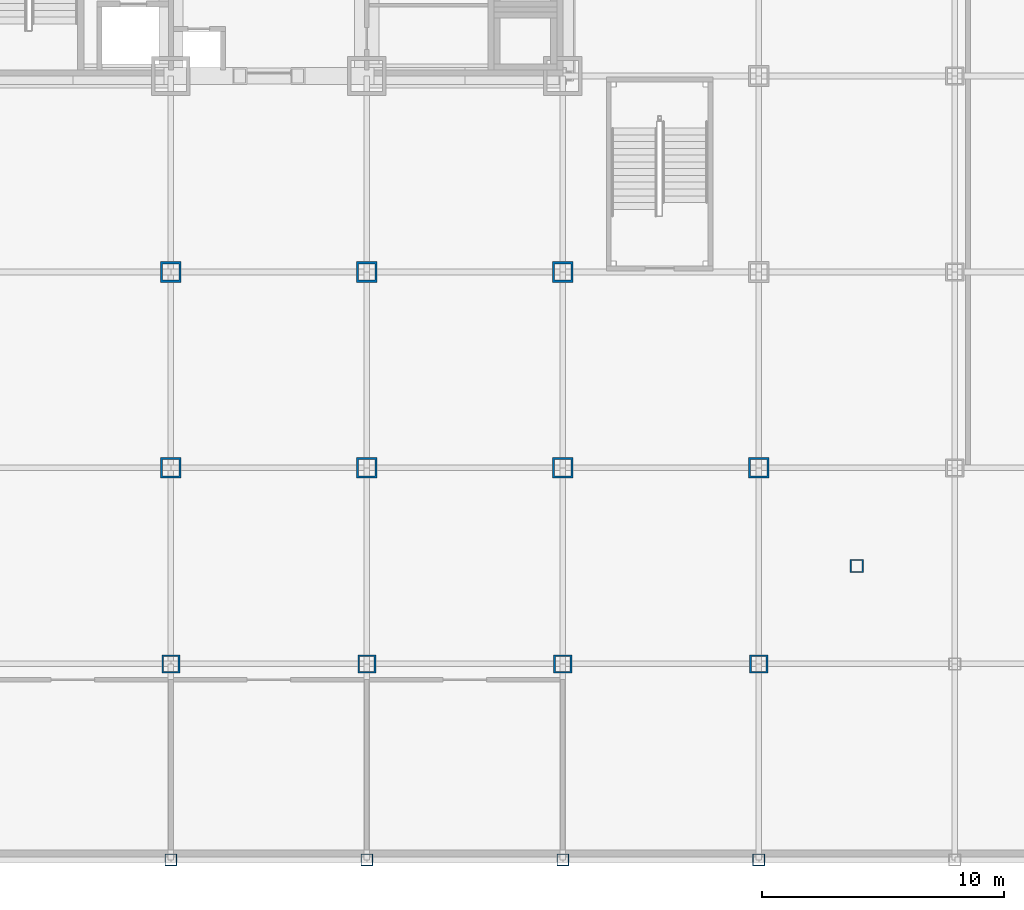
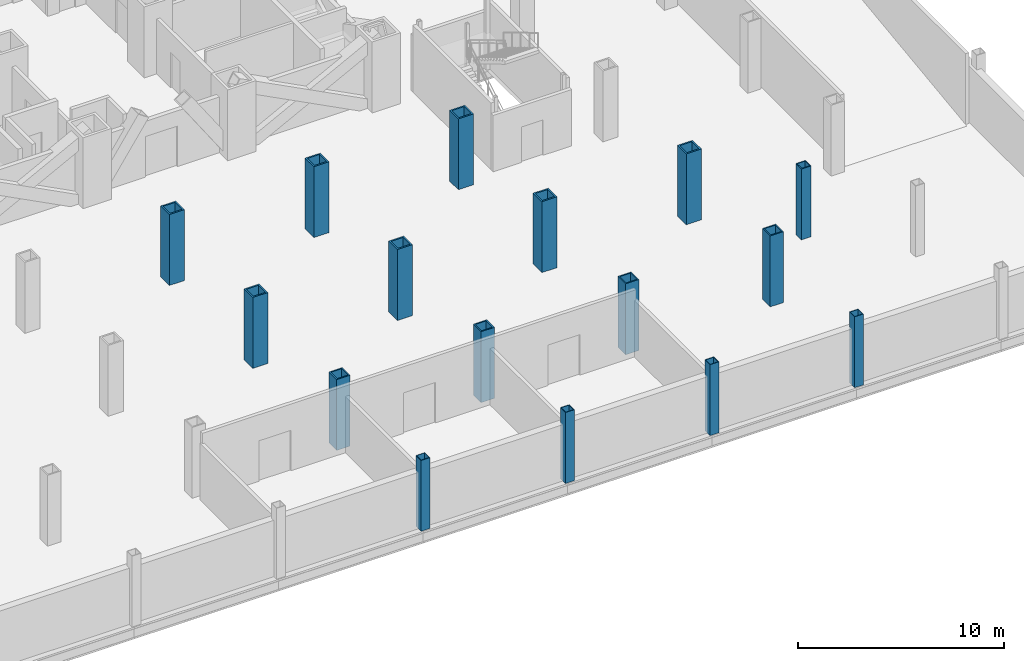
# One storey, part 3 of 14: 16 columns.
"""IFC4 building model written with IfcOpenShell, lengths in metres."""

from ifc_helpers import new_model, si_unit, direction, frame, origin, origin_2d, place, context, subcontext, project, spatial, hollow_rectangle, extrude, material, material_profile, profile_set, type_object, element, save


model = new_model("IFC4")

# Units and contexts
model_context = context("Model", 3, precision=1e-05, world=origin(), true_north=direction((0.0, 1.0)))
body_context = subcontext(model_context, "Body", "Model", "MODEL_VIEW")
ifc_project = project(units=[si_unit("LENGTHUNIT", "METRE"), si_unit("AREAUNIT", "SQUARE_METRE"), si_unit("VOLUMEUNIT", "CUBIC_METRE"), si_unit("PLANEANGLEUNIT", "RADIAN"), si_unit("MASSUNIT", "GRAM", prefix="KILO")], contexts=[model_context])

# Site, building, storey
site_placement = place(None, origin())
site = spatial("IfcSite", under=ifc_project, at=site_placement, CompositionType="ELEMENT")
building_placement = place(site_placement, origin())
building = spatial("IfcBuilding", under=site, at=building_placement, Name="Kopane Lantern Tower", CompositionType="ELEMENT")
storey_placement = place(building_placement, frame((0.0, 0.0, -4.199951171875)))
storey = spatial("IfcBuildingStorey", under=building, at=storey_placement, Name="L-01", CompositionType="ELEMENT", Elevation=-4.199951171875)

# Columns
ifc_material_1 = material(Name="Steel S355JR", Category="steel")
ifc_material_profile_1 = material_profile(ifc_material_1, hollow_rectangle(XDim=0.5, YDim=0.5, WallThickness=0.030029296875, at=origin_2d()), Name="BOX 500x500x30")
ifc_profile_set_1 = profile_set([ifc_material_profile_1], Name="Steel S355JR")
column_type_1 = type_object("IfcColumnType", Name="COLUMN BOX 500x500x30", PredefinedType="COLUMN", material=ifc_profile_set_1)
for number, where, z_axis, x_axis, name in (
    (1, (24.300048828125, -8.10009765625, 0.0), (0.0, 0.0, 1.0), (1.0, 0.0, 0.0), "Column 5/A L-01"),
    (2, (32.39990234375, -8.10009765625, 0.0), (0.0, 0.0, 1.0), (1.0, 0.0, 0.0), "Column 6/A L-01"),
    (3, (40.5, -8.10009765625, 0.0), (0.0, 0.0, 1.0), (1.0, 0.0, 0.0), "Column 7/A L-01"),
    (4, (48.60009765625, -8.10009765625, 0.0), (0.0, 0.0, 1.0), (1.0, 0.0, 0.0), "Column 8/A L-01"),
):
    element("IfcColumn", number, at=place(storey_placement, frame(where, z_axis=z_axis, x_axis=x_axis)), inside=storey, type_object=column_type_1, Name=name, PredefinedType="COLUMN", context=body_context, shape_type="SweptSolid", body=[
        extrude(hollow_rectangle(XDim=0.5, YDim=0.5, WallThickness=0.030029296875, at=origin_2d()), origin(), (0.0, 0.0, 1.0), 4.199951171875),
    ])
ifc_material_2 = material(Name="Steel S355JR", Category="steel")
ifc_material_profile_2 = material_profile(ifc_material_2, hollow_rectangle(XDim=0.550048828125, YDim=0.550048828125, WallThickness=0.050048828125, at=origin_2d()), Name="BOX 550x550x50")
ifc_profile_set_2 = profile_set([ifc_material_profile_2], Name="Steel S355JR")
column_type_2 = type_object("IfcColumnType", Name="COLUMN BOX 550x550x50", PredefinedType="COLUMN", material=ifc_profile_set_2)
column_placement = place(storey_placement, frame((52.64990234375, 4.050048828125, 0.0), z_axis=(0.0, 0.0, 1.0), x_axis=(1.0, 0.0, 0.0)))
element("IfcColumn", 5, at=column_placement, inside=storey, type_object=column_type_2, Name="Column 52.65/4.05 L-01", PredefinedType="COLUMN", context=body_context, shape_type="SweptSolid", body=[
    extrude(hollow_rectangle(XDim=0.550048828125, YDim=0.550048828125, WallThickness=0.050048828125, at=origin_2d()), origin(), (0.0, 0.0, 1.0), 4.199951171875),
])
ifc_material_3 = material(Name="Steel S355JR", Category="steel")
ifc_material_profile_3 = material_profile(ifc_material_3, hollow_rectangle(XDim=0.75, YDim=0.75, WallThickness=0.070068359375, at=origin_2d()), Name="BOX 750x750x70")
ifc_profile_set_3 = profile_set([ifc_material_profile_3], Name="Steel S355JR")
column_type_3 = type_object("IfcColumnType", Name="COLUMN BOX 750x750x70", PredefinedType="COLUMN", material=ifc_profile_set_3)
for number, where, z_axis, x_axis, name in (
    (6, (24.300048828125, 0.0, 0.0), (0.0, 0.0, 1.0), (1.0, 0.0, 0.0), "Column 5/B L-01"),
    (7, (32.39990234375, 0.0, 0.0), (0.0, 0.0, 1.0), (1.0, 0.0, 0.0), "Column 6/B L-01"),
    (8, (40.5, 0.0, 0.0), (0.0, 0.0, 1.0), (1.0, 0.0, 0.0), "Column 7/B L-01"),
    (9, (48.60009765625, 0.0, 0.0), (0.0, 0.0, 1.0), (1.0, 0.0, 0.0), "Column 8/B L-01"),
):
    element("IfcColumn", number, at=place(storey_placement, frame(where, z_axis=z_axis, x_axis=x_axis)), inside=storey, type_object=column_type_3, Name=name, PredefinedType="COLUMN", context=body_context, shape_type="SweptSolid", body=[
        extrude(hollow_rectangle(XDim=0.75, YDim=0.75, WallThickness=0.070068359375, at=origin_2d()), origin(), (0.0, 0.0, 1.0), 4.199951171875),
    ])
ifc_material_4 = material(Name="Steel S355JR", Category="steel")
ifc_material_profile_4 = material_profile(ifc_material_4, hollow_rectangle(XDim=0.85009765625, YDim=0.85009765625, WallThickness=0.0849609375, at=origin_2d()), Name="BOX 850x850x85")
ifc_profile_set_4 = profile_set([ifc_material_profile_4], Name="Steel S355JR")
column_type_4 = type_object("IfcColumnType", Name="COLUMN BOX 850x850x85", PredefinedType="COLUMN", material=ifc_profile_set_4)
for number, where, z_axis, x_axis, name in (
    (10, (24.300048828125, 8.10009765625, 0.0), (0.0, 0.0, 1.0), (1.0, 0.0, 0.0), "Column 5/C L-01"),
    (11, (24.300048828125, 16.199951171875, 0.0), (0.0, 0.0, 1.0), (1.0, 0.0, 0.0), "Column 5/D L-01"),
    (12, (32.39990234375, 8.10009765625, 0.0), (0.0, 0.0, 1.0), (1.0, 0.0, 0.0), "Column 6/C L-01"),
    (13, (32.39990234375, 16.199951171875, 0.0), (0.0, 0.0, 1.0), (1.0, 0.0, 0.0), "Column 6/D L-01"),
    (14, (40.5, 8.10009765625, 0.0), (0.0, 0.0, 1.0), (1.0, 0.0, 0.0), "Column 7/C L-01"),
    (15, (40.5, 16.199951171875, 0.0), (0.0, 0.0, 1.0), (1.0, 0.0, 0.0), "Column 7/D L-01"),
    (16, (48.60009765625, 8.10009765625, 0.0), (0.0, 0.0, 1.0), (1.0, 0.0, 0.0), "Column 8/C L-01"),
):
    element("IfcColumn", number, at=place(storey_placement, frame(where, z_axis=z_axis, x_axis=x_axis)), inside=storey, type_object=column_type_4, Name=name, PredefinedType="COLUMN", context=body_context, shape_type="SweptSolid", body=[
        extrude(hollow_rectangle(XDim=0.85009765625, YDim=0.85009765625, WallThickness=0.0849609375, at=origin_2d()), origin(), (0.0, 0.0, 1.0), 4.199951171875),
    ])

save(model, "model.ifc")
